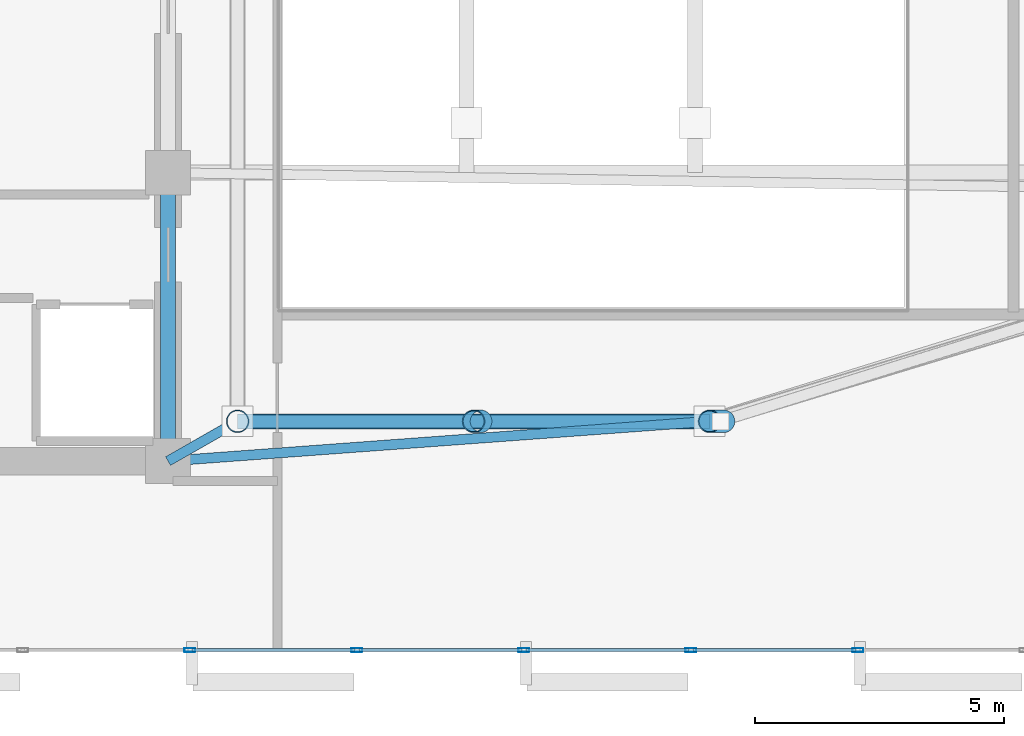
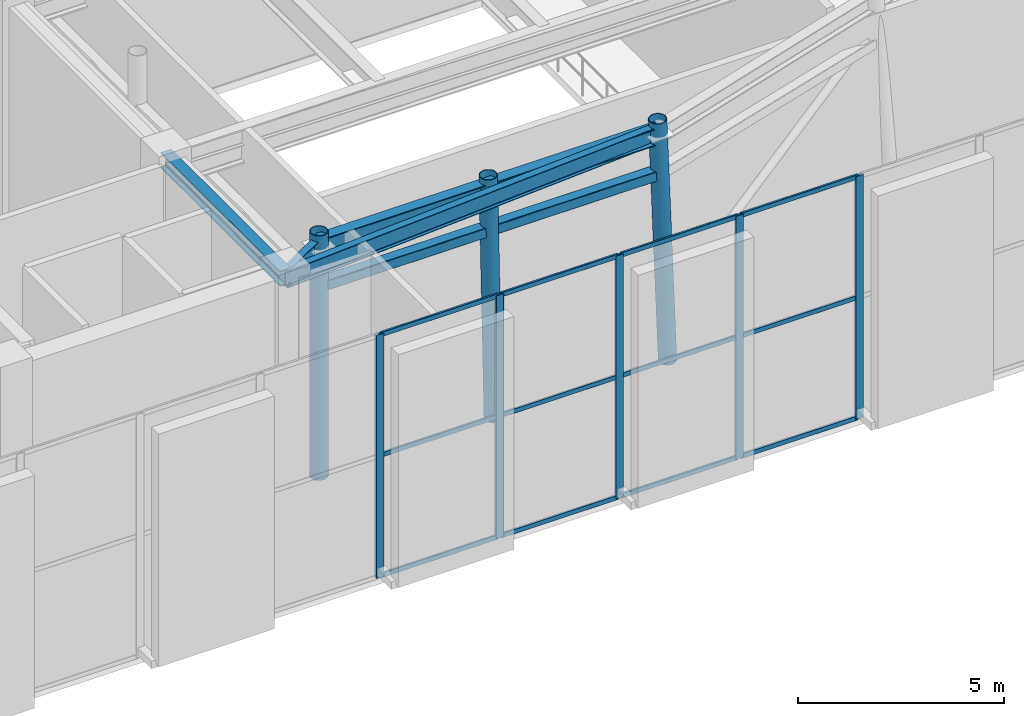
# One storey, part 5 of 20: 21 members, 4 beams, 1 element without a shape of its own.
"""IFC4 building model written with IfcOpenShell, lengths in metres."""

from ifc_helpers import new_model, si_unit, direction, frame, origin, origin_2d, place, context, subcontext, project, spatial, hollow_rectangle, hollow_circle, i_section, extrude, material, layer, layer_set, material_profile, profile_set, type_object, element, aggregate, save


model = new_model("IFC4")

# Units and contexts
model_context = context("Model", 3, precision=1e-05, world=origin(), true_north=direction((0.0, 1.0)))
body_context = subcontext(model_context, "Body", "Model", "MODEL_VIEW")
ifc_project = project(units=[si_unit("LENGTHUNIT", "METRE"), si_unit("AREAUNIT", "SQUARE_METRE"), si_unit("VOLUMEUNIT", "CUBIC_METRE"), si_unit("PLANEANGLEUNIT", "RADIAN"), si_unit("MASSUNIT", "GRAM", prefix="KILO")], contexts=[model_context])

# Site, building, storey
site_placement = place(None, origin())
site = spatial("IfcSite", under=ifc_project, at=site_placement, CompositionType="ELEMENT")
building_placement = place(site_placement, origin())
building = spatial("IfcBuilding", under=site, at=building_placement, Name="An Khanh Terracotta Commons", CompositionType="ELEMENT")
storey_placement = place(building_placement, frame((0.0, 0.0, 308.0)))
storey = spatial("IfcBuildingStorey", under=building, at=storey_placement, Name="L79 Crown Damper Gallery", CompositionType="ELEMENT", Elevation=308.0)

# Beams
ifc_material_1 = material(Name="Steel S355J2", Category="steel")
ifc_material_profile_1 = material_profile(ifc_material_1, i_section(OverallWidth=0.300048828125, OverallDepth=0.449951171875, WebThickness=0.013916015625, FlangeThickness=0.02587890625, FilletRadius=0.027099609375, at=origin_2d()), Name="HEB450")
ifc_profile_set_1 = profile_set([ifc_material_profile_1], Name="Steel S355J2")
beam_type_1 = type_object("IfcBeamType", Name="BM-HEB450", PredefinedType="BEAM", material=ifc_profile_set_1)
beam_1_placement = place(storey_placement, frame((37.199951171875, 14.39990234375, 6.72509765625), z_axis=(0.0, 1.0, 0.0), x_axis=(-1.0, 0.0, 0.0)))
element("IfcBeam", 1, at=beam_1_placement, inside=storey, type_object=beam_type_1, Name="L79 Crown Damper Gallery Core East Coupling Girder 1", PredefinedType="BEAM", context=body_context, shape_type="SweptSolid", body=[
    extrude(i_section(OverallWidth=0.300048828125, OverallDepth=0.449951171875, WebThickness=0.013916015625, FlangeThickness=0.02587890625, FilletRadius=0.027099609375, at=origin_2d()), origin(), (0.0, 0.0, 1.0), 5.800048828125),
])
ifc_material_profile_2 = material_profile(ifc_material_1, i_section(OverallWidth=0.300048828125, OverallDepth=0.5, WebThickness=0.014404296875, FlangeThickness=0.028076171875, FilletRadius=0.027099609375, at=origin_2d()), Name="HEB500")
ifc_profile_set_2 = profile_set([ifc_material_profile_2], Name="Steel S355J2")
beam_type_2 = type_object("IfcBeamType", Name="BM-HEB500", PredefinedType="BEAM", material=ifc_profile_set_2)
beam_2_placement = place(storey_placement, frame((38.60009765625, 15.199951171875, 6.699951171875), z_axis=(1.0, 0.0, 0.0), x_axis=(0.0, 1.0, 0.0)))
element("IfcBeam", 2, at=beam_2_placement, inside=storey, type_object=beam_type_2, Name="L79 Crown Damper Gallery CROWN FRAME Ring Beam 1", PredefinedType="BEAM", context=body_context, shape_type="SweptSolid", body=[
    extrude(i_section(OverallWidth=0.300048828125, OverallDepth=0.5, WebThickness=0.014404296875, FlangeThickness=0.028076171875, FilletRadius=0.027099609375, at=origin_2d()), origin(), (0.0, 0.0, 1.0), 9.489990234375),
])
ifc_material_profile_3 = material_profile(ifc_material_1, i_section(OverallWidth=0.199951171875, OverallDepth=0.5, WebThickness=0.01025390625, FlangeThickness=0.01611328125, FilletRadius=0.02099609375, at=origin_2d()), Name="IPE500")
ifc_profile_set_3 = profile_set([ifc_material_profile_3], Name="Steel S355J2")
beam_type_3 = type_object("IfcBeamType", Name="BM-IPE500", PredefinedType="BEAM", material=ifc_profile_set_3)
beam_3_placement = place(storey_placement, frame((37.199951171875, 14.39990234375, 6.699951171875), z_axis=(0.86825245861, 0.496122634152, 0.0), x_axis=(-0.496122634152, 0.86825245861, 0.0)))
element("IfcBeam", 3, at=beam_3_placement, inside=storey, type_object=beam_type_3, Name="L79 Crown Damper Gallery Crown Radial Tie Beam 1", PredefinedType="BEAM", context=body_context, shape_type="SweptSolid", body=[
    extrude(i_section(OverallWidth=0.199951171875, OverallDepth=0.5, WebThickness=0.01025390625, FlangeThickness=0.01611328125, FilletRadius=0.02099609375, at=origin_2d()), origin(), (0.0, 0.0, 1.0), 1.612548828125),
])
beam_4_placement = place(storey_placement, frame((37.199951171875, 14.39990234375, 6.699951171875), z_axis=(0.997312288255, 0.073267999117, 0.0), x_axis=(-0.073267999117, 0.997312288255, 0.0)))
element("IfcBeam", 4, at=beam_4_placement, inside=storey, type_object=beam_type_3, Name="L79 Crown Damper Gallery Crown Radial Tie Beam 2", PredefinedType="BEAM", context=body_context, shape_type="SweptSolid", body=[
    extrude(i_section(OverallWidth=0.199951171875, OverallDepth=0.5, WebThickness=0.01025390625, FlangeThickness=0.01611328125, FilletRadius=0.02099609375, at=origin_2d()), origin(), (0.0, 0.0, 1.0), 10.91943359375),
])

# Members
ifc_material_2 = material(Name="Steel S460ML", Category="steel")
ifc_material_profile_4 = material_profile(ifc_material_2, hollow_circle(Radius=0.228515625, WallThickness=0.02001953125, at=origin_2d()), Name="CHS457x20")
ifc_profile_set_4 = profile_set([ifc_material_profile_4], Name="Steel S460ML")
member_type_1 = type_object("IfcMemberType", Name="CROWN FRAME RIB CHS457", PredefinedType="STRUT", material=ifc_profile_set_4)
member_1_placement = place(storey_placement, frame((38.60009765625, 15.199951171875, -0.1201171875), z_axis=(0.0, 0.0, 1.0), x_axis=(1.0, 0.0, 0.0)))
element("IfcMember", 5, at=member_1_placement, inside=storey, type_object=member_type_1, Name="L79 Crown Damper Gallery CROWN FRAME Corner Raking Rib 1", PredefinedType="STRUT", context=body_context, shape_type="SweptSolid", body=[
    extrude(hollow_circle(Radius=0.228515625, WallThickness=0.02001953125, at=origin_2d()), origin(), (0.0, 0.0, 1.0), 7.240234375),
])
member_2_placement = place(storey_placement, frame((43.485107421875, 15.199951171875, -0.1201171875), z_axis=(-0.019351649324, 0.0, 0.999812739301), x_axis=(0.0, -1.0, 0.0)))
element("IfcMember", 6, at=member_2_placement, inside=storey, type_object=member_type_1, Name="L79 Crown Damper Gallery CROWN FRAME Facet Strut 1", PredefinedType="STRUT", context=body_context, shape_type="SweptSolid", body=[
    extrude(hollow_circle(Radius=0.228515625, WallThickness=0.02001953125, at=origin_2d()), origin(), (0.0, 0.0, 1.0), 7.24169921875),
])
member_3_placement = place(storey_placement, frame((48.3701171875, 15.199951171875, -0.1201171875), z_axis=(-0.038647931763, 0.0, 0.999252889598), x_axis=(0.0, -1.0, 0.0)))
element("IfcMember", 7, at=member_3_placement, inside=storey, type_object=member_type_1, Name="L79 Crown Damper Gallery CROWN FRAME Corner Raking Rib 2", PredefinedType="STRUT", context=body_context, shape_type="SweptSolid", body=[
    extrude(hollow_circle(Radius=0.228515625, WallThickness=0.02001953125, at=origin_2d()), origin(), (0.0, 0.0, 1.0), 7.24560546875),
])
ifc_material_profile_5 = material_profile(ifc_material_2, hollow_rectangle(XDim=0.300048828125, YDim=0.300048828125, WallThickness=0.01611328125, InnerFilletRadius=0.01611328125, OuterFilletRadius=0.031982421875, at=origin_2d()), Name="SHS300x300x16")
ifc_profile_set_5 = profile_set([ifc_material_profile_5], Name="Steel S460ML")
member_type_2 = type_object("IfcMemberType", Name="CROWN FRAME RING SHS300", PredefinedType="CHORD", material=ifc_profile_set_5)
member_4_placement = place(storey_placement, frame((38.60009765625, 15.199951171875, 5.527099609375), z_axis=(1.0, 0.0, 0.0), x_axis=(0.0, 1.0, 0.0)))
element("IfcMember", 8, at=member_4_placement, inside=storey, type_object=member_type_2, Name="L79 Crown Damper Gallery CROWN FRAME Sill Ring Chord 1", PredefinedType="CHORD", context=body_context, shape_type="SweptSolid", body=[
    extrude(hollow_rectangle(XDim=0.300048828125, YDim=0.300048828125, WallThickness=0.01611328125, InnerFilletRadius=0.01611328125, OuterFilletRadius=0.031982421875, at=origin_2d()), origin(), (0.0, 0.0, 1.0), 9.552001953125),
])

# Curtain wall, members
ifc_material_3 = material(Name="Anodised Aluminium 6063-T6", Category="aluminium")
ifc_layer = layer(ifc_material_3, 0.25, Name="Anodised Aluminium 6063-T6")
ifc_layer_set = layer_set([ifc_layer], Name="Anodised Aluminium 6063-T6")
curtain_wall_type = type_object("IfcCurtainWallType", Name="CW-SYS-05", PredefinedType="USERDEFINED", material=ifc_layer_set)
curtain_wall_placement = place(storey_placement, origin())
curtain_wall = element("IfcCurtainWall", 9, at=curtain_wall_placement, inside=storey, type_object=curtain_wall_type, Name="L79 Crown Damper Gallery CW-05 Unitised Curtain Wall CW-L79-04", ObjectType="UNITISED CURTAIN WALL", PredefinedType="USERDEFINED")
ifc_material_profile_6 = material_profile(ifc_material_3, hollow_rectangle(XDim=0.080078125, YDim=0.219970703125, WallThickness=0.0048828125, InnerFilletRadius=0.0048828125, OuterFilletRadius=0.010009765625, at=origin_2d()), Name="RHS220x80x5")
ifc_profile_set_6 = profile_set([ifc_material_profile_6], Name="Anodised Aluminium 6063-T6")
member_type_3 = type_object("IfcMemberType", Name="CWM-RHS220x80x5", PredefinedType="MULLION", material=ifc_profile_set_6)
member_5_placement = place(storey_placement, frame((37.6376953125, 10.60009765625, 0.0), z_axis=(0.0, 0.0, 1.0), x_axis=(0.0, 1.0, 0.0)))
member_5 = element("IfcMember", 10, at=member_5_placement, type_object=member_type_3, Name="CW-05 mullion 5", PredefinedType="MULLION", context=body_context, shape_type="SweptSolid", body=[
    extrude(hollow_rectangle(XDim=0.080078125, YDim=0.219970703125, WallThickness=0.0048828125, InnerFilletRadius=0.0048828125, OuterFilletRadius=0.010009765625, at=origin_2d()), origin(), (0.0, 0.0, 1.0), 7.199951171875),
])
member_6_placement = place(storey_placement, frame((40.9970703125, 10.60009765625, 0.0), z_axis=(0.0, 0.0, 1.0), x_axis=(0.0, 1.0, 0.0)))
member_6 = element("IfcMember", 11, at=member_6_placement, type_object=member_type_3, Name="CW-05 mullion 6", PredefinedType="MULLION", context=body_context, shape_type="SweptSolid", body=[
    extrude(hollow_rectangle(XDim=0.080078125, YDim=0.219970703125, WallThickness=0.0048828125, InnerFilletRadius=0.0048828125, OuterFilletRadius=0.010009765625, at=origin_2d()), origin(), (0.0, 0.0, 1.0), 7.199951171875),
])
member_7_placement = place(storey_placement, frame((44.3564453125, 10.60009765625, 0.0), z_axis=(0.0, 0.0, 1.0), x_axis=(0.0, 1.0, 0.0)))
member_7 = element("IfcMember", 12, at=member_7_placement, type_object=member_type_3, Name="CW-05 mullion 7", PredefinedType="MULLION", context=body_context, shape_type="SweptSolid", body=[
    extrude(hollow_rectangle(XDim=0.080078125, YDim=0.219970703125, WallThickness=0.0048828125, InnerFilletRadius=0.0048828125, OuterFilletRadius=0.010009765625, at=origin_2d()), origin(), (0.0, 0.0, 1.0), 7.199951171875),
])
member_8_placement = place(storey_placement, frame((47.7158203125, 10.60009765625, 0.0), z_axis=(0.0, 0.0, 1.0), x_axis=(0.0, 1.0, 0.0)))
member_8 = element("IfcMember", 13, at=member_8_placement, type_object=member_type_3, Name="CW-05 mullion 8", PredefinedType="MULLION", context=body_context, shape_type="SweptSolid", body=[
    extrude(hollow_rectangle(XDim=0.080078125, YDim=0.219970703125, WallThickness=0.0048828125, InnerFilletRadius=0.0048828125, OuterFilletRadius=0.010009765625, at=origin_2d()), origin(), (0.0, 0.0, 1.0), 7.199951171875),
])
member_9_placement = place(storey_placement, frame((51.0751953125, 10.60009765625, 0.0), z_axis=(0.0, 0.0, 1.0), x_axis=(0.0, 1.0, 0.0)))
member_9 = element("IfcMember", 14, at=member_9_placement, type_object=member_type_3, Name="CW-05 mullion 9", PredefinedType="MULLION", context=body_context, shape_type="SweptSolid", body=[
    extrude(hollow_rectangle(XDim=0.080078125, YDim=0.219970703125, WallThickness=0.0048828125, InnerFilletRadius=0.0048828125, OuterFilletRadius=0.010009765625, at=origin_2d()), origin(), (0.0, 0.0, 1.0), 7.199951171875),
])
ifc_material_profile_7 = material_profile(ifc_material_3, hollow_rectangle(XDim=0.06005859375, YDim=0.135009765625, WallThickness=0.003662109375, InnerFilletRadius=0.003662109375, OuterFilletRadius=0.007080078125, at=origin_2d()), Name="RHS135x60x3.6")
ifc_profile_set_7 = profile_set([ifc_material_profile_7], Name="Anodised Aluminium 6063-T6")
member_type_4 = type_object("IfcMemberType", Name="CWT-RHS135x60x3.6", PredefinedType="USERDEFINED", material=ifc_profile_set_7)
member_10_placement = place(storey_placement, frame((37.677490234375, 10.60009765625, 0.030029296875), z_axis=(1.0, 0.0, 0.0), x_axis=(0.0, 1.0, 0.0)))
member_10 = element("IfcMember", 15, at=member_10_placement, type_object=member_type_4, Name="CW-05 transom 5.1", ObjectType="TRANSOM", PredefinedType="USERDEFINED", context=body_context, shape_type="SweptSolid", body=[
    extrude(hollow_rectangle(XDim=0.06005859375, YDim=0.135009765625, WallThickness=0.003662109375, InnerFilletRadius=0.003662109375, OuterFilletRadius=0.007080078125, at=origin_2d()), origin(), (0.0, 0.0, 1.0), 3.279541015625),
])
member_11_placement = place(storey_placement, frame((37.677490234375, 10.60009765625, 3.60009765625), z_axis=(1.0, 0.0, 0.0), x_axis=(0.0, 1.0, 0.0)))
member_11 = element("IfcMember", 16, at=member_11_placement, type_object=member_type_4, Name="CW-05 transom 5.2", ObjectType="TRANSOM", PredefinedType="USERDEFINED", context=body_context, shape_type="SweptSolid", body=[
    extrude(hollow_rectangle(XDim=0.06005859375, YDim=0.135009765625, WallThickness=0.003662109375, InnerFilletRadius=0.003662109375, OuterFilletRadius=0.007080078125, at=origin_2d()), origin(), (0.0, 0.0, 1.0), 3.279541015625),
])
member_12_placement = place(storey_placement, frame((37.677490234375, 10.60009765625, 7.169921875), z_axis=(1.0, 0.0, 0.0), x_axis=(0.0, 1.0, 0.0)))
member_12 = element("IfcMember", 17, at=member_12_placement, type_object=member_type_4, Name="CW-05 transom 5.3", ObjectType="TRANSOM", PredefinedType="USERDEFINED", context=body_context, shape_type="SweptSolid", body=[
    extrude(hollow_rectangle(XDim=0.06005859375, YDim=0.135009765625, WallThickness=0.003662109375, InnerFilletRadius=0.003662109375, OuterFilletRadius=0.007080078125, at=origin_2d()), origin(), (0.0, 0.0, 1.0), 3.279541015625),
])
member_13_placement = place(storey_placement, frame((41.037109375, 10.60009765625, 0.030029296875), z_axis=(1.0, 0.0, 0.0), x_axis=(0.0, 1.0, 0.0)))
member_13 = element("IfcMember", 18, at=member_13_placement, type_object=member_type_4, Name="CW-05 transom 6.1", ObjectType="TRANSOM", PredefinedType="USERDEFINED", context=body_context, shape_type="SweptSolid", body=[
    extrude(hollow_rectangle(XDim=0.06005859375, YDim=0.135009765625, WallThickness=0.003662109375, InnerFilletRadius=0.003662109375, OuterFilletRadius=0.007080078125, at=origin_2d()), origin(), (0.0, 0.0, 1.0), 3.279296875),
])
member_14_placement = place(storey_placement, frame((41.037109375, 10.60009765625, 3.60009765625), z_axis=(1.0, 0.0, 0.0), x_axis=(0.0, 1.0, 0.0)))
member_14 = element("IfcMember", 19, at=member_14_placement, type_object=member_type_4, Name="CW-05 transom 6.2", ObjectType="TRANSOM", PredefinedType="USERDEFINED", context=body_context, shape_type="SweptSolid", body=[
    extrude(hollow_rectangle(XDim=0.06005859375, YDim=0.135009765625, WallThickness=0.003662109375, InnerFilletRadius=0.003662109375, OuterFilletRadius=0.007080078125, at=origin_2d()), origin(), (0.0, 0.0, 1.0), 3.279296875),
])
member_15_placement = place(storey_placement, frame((41.037109375, 10.60009765625, 7.169921875), z_axis=(1.0, 0.0, 0.0), x_axis=(0.0, 1.0, 0.0)))
member_15 = element("IfcMember", 20, at=member_15_placement, type_object=member_type_4, Name="CW-05 transom 6.3", ObjectType="TRANSOM", PredefinedType="USERDEFINED", context=body_context, shape_type="SweptSolid", body=[
    extrude(hollow_rectangle(XDim=0.06005859375, YDim=0.135009765625, WallThickness=0.003662109375, InnerFilletRadius=0.003662109375, OuterFilletRadius=0.007080078125, at=origin_2d()), origin(), (0.0, 0.0, 1.0), 3.279296875),
])
member_16_placement = place(storey_placement, frame((44.396484375, 10.60009765625, 0.030029296875), z_axis=(1.0, 0.0, 0.0), x_axis=(0.0, 1.0, 0.0)))
member_16 = element("IfcMember", 21, at=member_16_placement, type_object=member_type_4, Name="CW-05 transom 7.1", ObjectType="TRANSOM", PredefinedType="USERDEFINED", context=body_context, shape_type="SweptSolid", body=[
    extrude(hollow_rectangle(XDim=0.06005859375, YDim=0.135009765625, WallThickness=0.003662109375, InnerFilletRadius=0.003662109375, OuterFilletRadius=0.007080078125, at=origin_2d()), origin(), (0.0, 0.0, 1.0), 3.279296875),
])
member_17_placement = place(storey_placement, frame((44.396484375, 10.60009765625, 3.60009765625), z_axis=(1.0, 0.0, 0.0), x_axis=(0.0, 1.0, 0.0)))
member_17 = element("IfcMember", 22, at=member_17_placement, type_object=member_type_4, Name="CW-05 transom 7.2", ObjectType="TRANSOM", PredefinedType="USERDEFINED", context=body_context, shape_type="SweptSolid", body=[
    extrude(hollow_rectangle(XDim=0.06005859375, YDim=0.135009765625, WallThickness=0.003662109375, InnerFilletRadius=0.003662109375, OuterFilletRadius=0.007080078125, at=origin_2d()), origin(), (0.0, 0.0, 1.0), 3.279296875),
])
member_18_placement = place(storey_placement, frame((44.396484375, 10.60009765625, 7.169921875), z_axis=(1.0, 0.0, 0.0), x_axis=(0.0, 1.0, 0.0)))
member_18 = element("IfcMember", 23, at=member_18_placement, type_object=member_type_4, Name="CW-05 transom 7.3", ObjectType="TRANSOM", PredefinedType="USERDEFINED", context=body_context, shape_type="SweptSolid", body=[
    extrude(hollow_rectangle(XDim=0.06005859375, YDim=0.135009765625, WallThickness=0.003662109375, InnerFilletRadius=0.003662109375, OuterFilletRadius=0.007080078125, at=origin_2d()), origin(), (0.0, 0.0, 1.0), 3.279296875),
])
member_19_placement = place(storey_placement, frame((47.755859375, 10.60009765625, 0.030029296875), z_axis=(1.0, 0.0, 0.0), x_axis=(0.0, 1.0, 0.0)))
member_19 = element("IfcMember", 24, at=member_19_placement, type_object=member_type_4, Name="CW-05 transom 8.1", ObjectType="TRANSOM", PredefinedType="USERDEFINED", context=body_context, shape_type="SweptSolid", body=[
    extrude(hollow_rectangle(XDim=0.06005859375, YDim=0.135009765625, WallThickness=0.003662109375, InnerFilletRadius=0.003662109375, OuterFilletRadius=0.007080078125, at=origin_2d()), origin(), (0.0, 0.0, 1.0), 3.279296875),
])
member_20_placement = place(storey_placement, frame((47.755859375, 10.60009765625, 3.60009765625), z_axis=(1.0, 0.0, 0.0), x_axis=(0.0, 1.0, 0.0)))
member_20 = element("IfcMember", 25, at=member_20_placement, type_object=member_type_4, Name="CW-05 transom 8.2", ObjectType="TRANSOM", PredefinedType="USERDEFINED", context=body_context, shape_type="SweptSolid", body=[
    extrude(hollow_rectangle(XDim=0.06005859375, YDim=0.135009765625, WallThickness=0.003662109375, InnerFilletRadius=0.003662109375, OuterFilletRadius=0.007080078125, at=origin_2d()), origin(), (0.0, 0.0, 1.0), 3.279296875),
])
member_21_placement = place(storey_placement, frame((47.755859375, 10.60009765625, 7.169921875), z_axis=(1.0, 0.0, 0.0), x_axis=(0.0, 1.0, 0.0)))
member_21 = element("IfcMember", 26, at=member_21_placement, type_object=member_type_4, Name="CW-05 transom 8.3", ObjectType="TRANSOM", PredefinedType="USERDEFINED", context=body_context, shape_type="SweptSolid", body=[
    extrude(hollow_rectangle(XDim=0.06005859375, YDim=0.135009765625, WallThickness=0.003662109375, InnerFilletRadius=0.003662109375, OuterFilletRadius=0.007080078125, at=origin_2d()), origin(), (0.0, 0.0, 1.0), 3.279296875),
])
aggregate(curtain_wall, [member_5, member_6, member_7, member_8, member_9, member_10, member_11, member_12, member_13, member_14, member_15, member_16, member_17, member_18, member_19, member_20, member_21])

save(model, "model.ifc")
